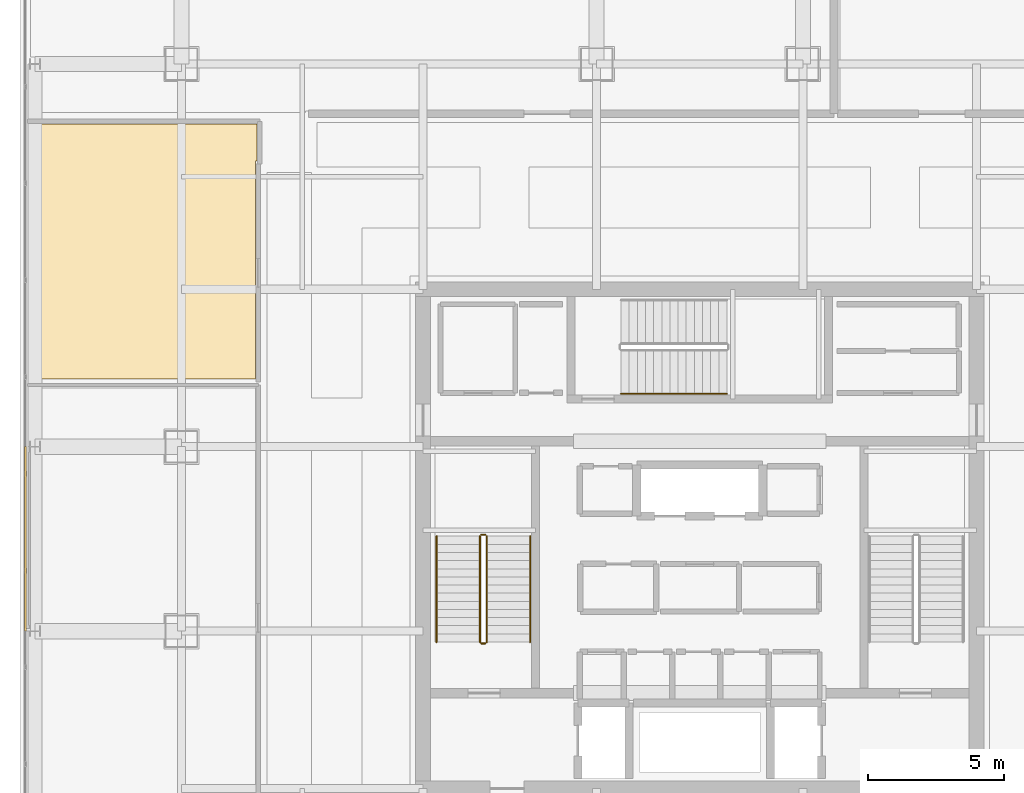
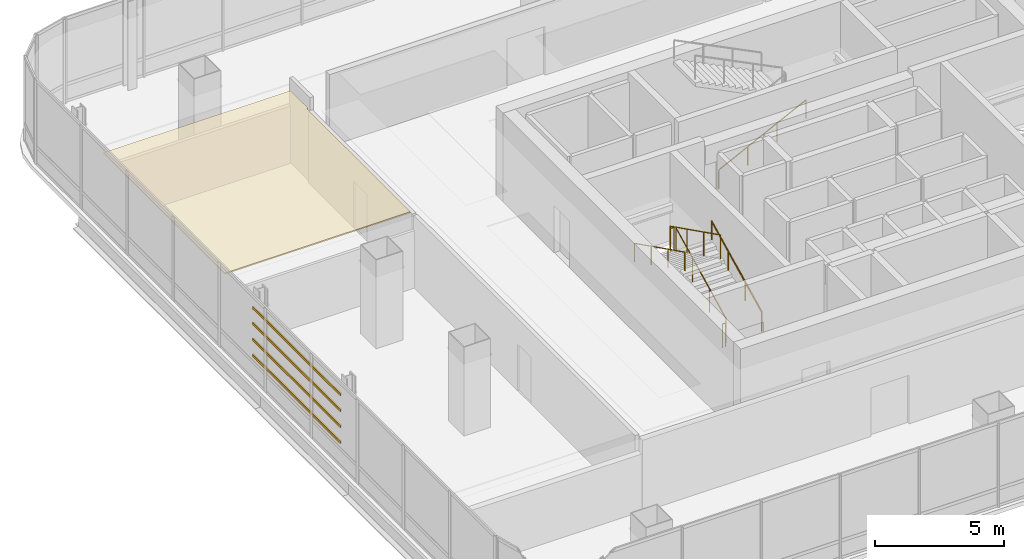
# One storey, part 39 of 42: 7 railings, 4 shading devices, 1 covering.
"""IFC4 building model written with IfcOpenShell, lengths in metres."""

from ifc_helpers import new_model, si_unit, direction, frame, origin, origin_2d, place, context, subcontext, project, spatial, polyline, hollow_rectangle, circle, outline, extrude, material, layer, layer_set, material_profile, profile_set, type_object, element, save


model = new_model("IFC4")

# Units and contexts
model_context = context("Model", 3, precision=1e-05, world=origin(), true_north=direction((0.0, 1.0)))
body_context = subcontext(model_context, "Body", "Model", "MODEL_VIEW")
ifc_project = project(units=[si_unit("LENGTHUNIT", "METRE"), si_unit("AREAUNIT", "SQUARE_METRE"), si_unit("VOLUMEUNIT", "CUBIC_METRE"), si_unit("PLANEANGLEUNIT", "RADIAN"), si_unit("MASSUNIT", "GRAM", prefix="KILO")], contexts=[model_context])

# Site, building, storey
site_placement = place(None, origin())
site = spatial("IfcSite", under=ifc_project, at=site_placement, CompositionType="ELEMENT")
building_placement = place(site_placement, origin())
building = spatial("IfcBuilding", under=site, at=building_placement, Name="Punatoya Terracotta Tower", CompositionType="ELEMENT")
storey_placement = place(building_placement, frame((0.0, 0.0, 304.800048828125)))
storey = spatial("IfcBuildingStorey", under=building, at=storey_placement, Name="L72", CompositionType="ELEMENT", Elevation=304.800048828125)

# Covering
ifc_material_1 = material(Name="Acoustic Mineral Fibre Ceiling")
ifc_layer = layer(ifc_material_1, 0.06005859375)
ifc_layer_set = layer_set([ifc_layer], Name="Acoustic Mineral Fibre Ceiling")
covering_type = type_object("IfcCoveringType", Name="COV-CEIL-60", PredefinedType="CEILING", material=ifc_layer_set)
covering_placement = place(storey_placement, frame((0.0, 0.0, 3.389892578125)))
element("IfcCovering", 1, at=covering_placement, inside=storey, type_object=covering_type, Name="L72 Barista Espresso Pantry Acoustic Ceiling", PredefinedType="CEILING", context=body_context, shape_type="SweptSolid", body=[
    extrude(outline(polyline([(-16.3701171875, 13.919921875), (-16.31005859375, 13.919921875), (-16.31005859375, 15.2900390625), (-24.669921875, 15.2900390625), (-24.669921875, 5.889892578125), (-16.3701171875, 5.889892578125), (-16.3701171875, 13.919921875)])), origin(), (0.0, 0.0, 1.0), 0.06005859375),
])

# Railings
ifc_material_2 = material(Name="Steel S355", Category="steel")
railing_type_1 = type_object("IfcRailingType", Name="RLG-GRD-1150", PredefinedType="GUARDRAIL", material=ifc_material_2)
railing_1_placement = place(storey_placement, frame((-7.85009765625, -3.800048828125, 0.14990234375)))
element("IfcRailing", 2, at=railing_1_placement, inside=storey, type_object=railing_type_1, Name="L72 ST-1 stair guard 1", PredefinedType="GUARDRAIL", context=body_context, shape_type="SweptSolid", body=[
    extrude(circle(Radius=0.02392578125, at=origin_2d()), frame((0.0, 0.0, 1.1259765625), z_axis=(0.0, 0.894438388696, 0.447191199406), x_axis=(-1.0, 0.0, 0.0)), (0.0, 0.0, 1.0), 4.3603515625),
    extrude(circle(Radius=0.02099609375, at=origin_2d()), origin(), (0.0, 0.0, 1.0), 1.101806640625),
    extrude(circle(Radius=0.02099609375, at=origin_2d()), frame((0.0, 1.300048828125, 0.64990234375)), (0.0, 0.0, 1.0), 1.101806640625),
    extrude(circle(Radius=0.02099609375, at=origin_2d()), frame((0.0, 2.60009765625, 1.300048828125)), (0.0, 0.0, 1.0), 1.101806640625),
    extrude(circle(Radius=0.02099609375, at=origin_2d()), frame((0.0, 3.900146484375, 1.949951171875)), (0.0, 0.0, 1.0), 1.101806640625),
])
railing_2_placement = place(storey_placement, frame((-7.89990234375, 0.14990234375, 2.099853515625)))
element("IfcRailing", 3, at=railing_2_placement, inside=storey, type_object=railing_type_1, Name="L72 ST-1 stair guard 2", PredefinedType="GUARDRAIL", context=body_context, shape_type="SweptSolid", body=[
    extrude(circle(Radius=0.02392578125, at=origin_2d()), frame((0.0, 0.0, 1.1259765625), z_axis=(-1.0, 0.0, 0.0), x_axis=(0.0, -1.0, 0.0)), (0.0, 0.0, 1.0), 0.150146484375),
    extrude(circle(Radius=0.02099609375, at=origin_2d()), origin(), (0.0, 0.0, 1.0), 1.101806640625),
    extrude(circle(Radius=0.02099609375, at=origin_2d()), frame((-0.150146484375, 0.0, 0.0)), (0.0, 0.0, 1.0), 1.101806640625),
])
railing_3_placement = place(storey_placement, frame((-8.10009765625, 0.10009765625, 2.25)))
element("IfcRailing", 4, at=railing_3_placement, inside=storey, type_object=railing_type_1, Name="L72 ST-1 stair guard 3", PredefinedType="GUARDRAIL", context=body_context, shape_type="SweptSolid", body=[
    extrude(circle(Radius=0.02392578125, at=origin_2d()), frame((0.0, 0.0, 1.1259765625), z_axis=(0.0, -0.894438388696, 0.447191199406), x_axis=(1.0, 0.0, 0.0)), (0.0, 0.0, 1.0), 4.3603515625),
    extrude(circle(Radius=0.02099609375, at=origin_2d()), origin(), (0.0, 0.0, 1.0), 1.101806640625),
    extrude(circle(Radius=0.02099609375, at=origin_2d()), frame((0.0, -1.300048828125, 0.64990234375)), (0.0, 0.0, 1.0), 1.101806640625),
    extrude(circle(Radius=0.02099609375, at=origin_2d()), frame((0.0, -2.60009765625, 1.300048828125)), (0.0, 0.0, 1.0), 1.101806640625),
    extrude(circle(Radius=0.02099609375, at=origin_2d()), frame((0.0, -3.900146484375, 1.949951171875)), (0.0, 0.0, 1.0), 1.101806640625),
])
railing_4_placement = place(storey_placement, frame((-7.89990234375, -3.85009765625, 0.0)))
element("IfcRailing", 5, at=railing_4_placement, inside=storey, type_object=railing_type_1, Name="L72 ST-1 stair guard 4", PredefinedType="GUARDRAIL", context=body_context, shape_type="SweptSolid", body=[
    extrude(circle(Radius=0.02392578125, at=origin_2d()), frame((0.0, 0.0, 1.1259765625), z_axis=(-1.0, 0.0, 0.0), x_axis=(0.0, -1.0, 0.0)), (0.0, 0.0, 1.0), 0.150146484375),
    extrude(circle(Radius=0.02099609375, at=origin_2d()), origin(), (0.0, 0.0, 1.0), 1.101806640625),
    extrude(circle(Radius=0.02099609375, at=origin_2d()), frame((-0.150146484375, 0.0, 0.0)), (0.0, 0.0, 1.0), 1.101806640625),
])
railing_type_2 = type_object("IfcRailingType", Name="RLG-HND-900", PredefinedType="HANDRAIL", material=ifc_material_2)
railing_5_placement = place(storey_placement, frame((-6.25, -3.800048828125, 0.14990234375)))
element("IfcRailing", 6, at=railing_5_placement, inside=storey, type_object=railing_type_2, Name="L72 ST-1 stair handrail 1", PredefinedType="HANDRAIL", context=body_context, shape_type="SweptSolid", body=[
    extrude(circle(Radius=0.02392578125, at=origin_2d()), frame((0.0, 0.0, 0.8759765625), z_axis=(0.0, 0.894438388696, 0.447191199406), x_axis=(-1.0, 0.0, 0.0)), (0.0, 0.0, 1.0), 4.3603515625),
    extrude(circle(Radius=0.02099609375, at=origin_2d()), origin(), (0.0, 0.0, 1.0), 0.851806640625),
    extrude(circle(Radius=0.02099609375, at=origin_2d()), frame((0.0, 1.300048828125, 0.64990234375)), (0.0, 0.0, 1.0), 0.851806640625),
    extrude(circle(Radius=0.02099609375, at=origin_2d()), frame((0.0, 2.60009765625, 1.300048828125)), (0.0, 0.0, 1.0), 0.851806640625),
    extrude(circle(Radius=0.02099609375, at=origin_2d()), frame((0.0, 3.900146484375, 1.949951171875)), (0.0, 0.0, 1.0), 0.851806640625),
])
railing_6_placement = place(storey_placement, frame((-9.699951171875, 0.10009765625, 2.25)))
element("IfcRailing", 7, at=railing_6_placement, inside=storey, type_object=railing_type_2, Name="L72 ST-1 stair handrail 2", PredefinedType="HANDRAIL", context=body_context, shape_type="SweptSolid", body=[
    extrude(circle(Radius=0.02392578125, at=origin_2d()), frame((0.0, 0.0, 0.8759765625), z_axis=(0.0, -0.894438388696, 0.447191199406), x_axis=(1.0, 0.0, 0.0)), (0.0, 0.0, 1.0), 4.3603515625),
    extrude(circle(Radius=0.02099609375, at=origin_2d()), origin(), (0.0, 0.0, 1.0), 0.851806640625),
    extrude(circle(Radius=0.02099609375, at=origin_2d()), frame((0.0, -1.300048828125, 0.64990234375)), (0.0, 0.0, 1.0), 0.851806640625),
    extrude(circle(Radius=0.02099609375, at=origin_2d()), frame((0.0, -2.60009765625, 1.300048828125)), (0.0, 0.0, 1.0), 0.851806640625),
    extrude(circle(Radius=0.02099609375, at=origin_2d()), frame((0.0, -3.900146484375, 1.949951171875)), (0.0, 0.0, 1.0), 0.851806640625),
])
railing_7_placement = place(storey_placement, frame((-2.89990234375, 5.35009765625, 0.14990234375)))
element("IfcRailing", 8, at=railing_7_placement, inside=storey, type_object=railing_type_2, Name="L72 ST-3 stair handrail 1", PredefinedType="HANDRAIL", context=body_context, shape_type="SweptSolid", body=[
    extrude(circle(Radius=0.02392578125, at=origin_2d()), frame((0.0, 0.0, 0.8759765625), z_axis=(0.894427191, 0.0, 0.4472135955), x_axis=(0.0, 1.0, 0.0)), (0.0, 0.0, 1.0), 4.360107421875),
    extrude(circle(Radius=0.02099609375, at=origin_2d()), origin(), (0.0, 0.0, 1.0), 0.851806640625),
    extrude(circle(Radius=0.02099609375, at=origin_2d()), frame((1.300048828125, 0.0, 0.64990234375)), (0.0, 0.0, 1.0), 0.851806640625),
    extrude(circle(Radius=0.02099609375, at=origin_2d()), frame((2.599853515625, 0.0, 1.300048828125)), (0.0, 0.0, 1.0), 0.851806640625),
    extrude(circle(Radius=0.02099609375, at=origin_2d()), frame((3.89990234375, 0.0, 1.949951171875)), (0.0, 0.0, 1.0), 0.851806640625),
])

# Shading devices
ifc_material_3 = material(Name="Architectural Fired Terracotta", Category="masonry")
ifc_material_profile = material_profile(ifc_material_3, hollow_rectangle(XDim=0.06494140625, YDim=0.1201171875, WallThickness=0.014892578125, at=origin_2d()))
ifc_profile_set = profile_set([ifc_material_profile], Name="Architectural Fired Terracotta")
shading_device_type = type_object("IfcShadingDeviceType", Name="SHD-BAG-120", PredefinedType="USERDEFINED", material=ifc_profile_set)
for number, where, z_axis, x_axis, name in (
    (9, (-24.847900390625, -3.39990234375, 1.14990234375), (0.0, 1.0, 0.0), (-1.0, 0.0, 0.0), "L72 Fired Terracotta Baguette Louvre BAG-L72-W-01"),
    (10, (-24.847900390625, -3.39990234375, 1.89990234375), (0.0, 1.0, 0.0), (-1.0, 0.0, 0.0), "L72 Fired Terracotta Baguette Louvre BAG-L72-W-02"),
    (11, (-24.847900390625, -3.39990234375, 2.64990234375), (0.0, 1.0, 0.0), (-1.0, 0.0, 0.0), "L72 Fired Terracotta Baguette Louvre BAG-L72-W-03"),
    (12, (-24.847900390625, -3.39990234375, 3.39990234375), (0.0, 1.0, 0.0), (-1.0, 0.0, 0.0), "L72 Fired Terracotta Baguette Louvre BAG-L72-W-04"),
):
    element("IfcShadingDevice", number, at=place(storey_placement, frame(where, z_axis=z_axis, x_axis=x_axis)), inside=storey, type_object=shading_device_type, Name=name, ObjectType="BAGUETTE", PredefinedType="USERDEFINED", context=body_context, shape_type="SweptSolid", body=[
        extrude(hollow_rectangle(XDim=0.06494140625, YDim=0.1201171875, WallThickness=0.014892578125, at=origin_2d()), origin(), (0.0, 0.0, 1.0), 6.7998046875),
    ])

save(model, "model.ifc")
